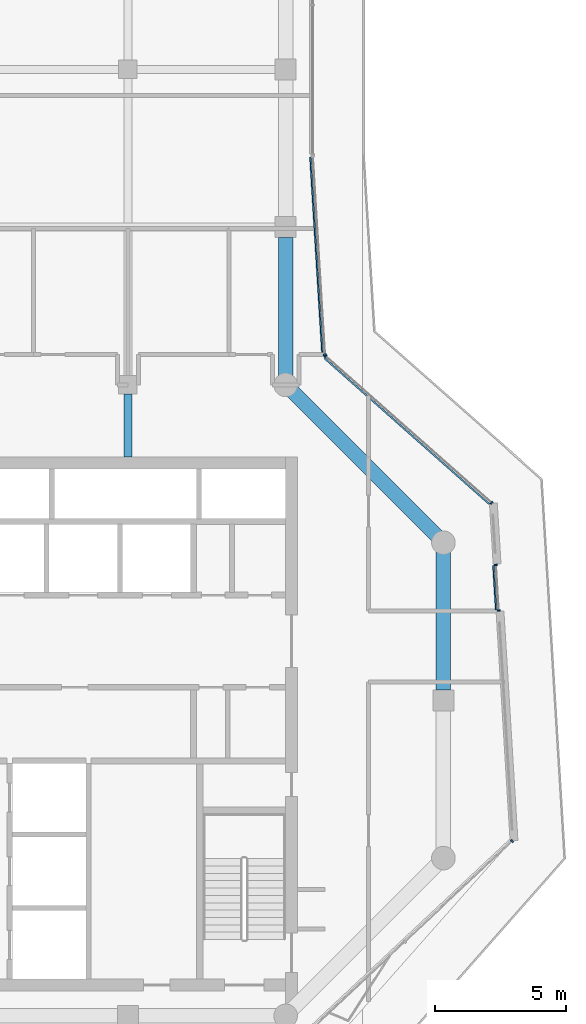
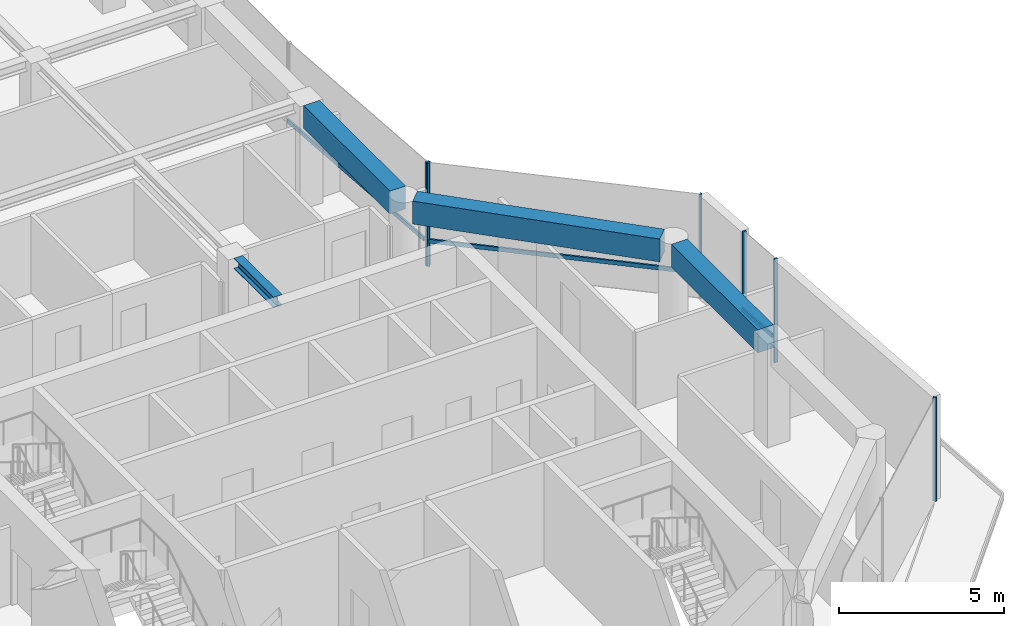
# One storey, part 5 of 21: 9 members, 4 beams, 4 elements without a shape of their own.
"""IFC4 building model written with IfcOpenShell, lengths in metres."""

from ifc_helpers import new_model, si_unit, direction, frame, origin, origin_2d, place, context, subcontext, project, spatial, rectangle, i_section, extrude, material, layer, layer_set, material_profile, profile_set, type_object, element, aggregate, save


model = new_model("IFC4")

# Units and contexts
model_context = context("Model", 3, precision=1e-05, world=origin(), true_north=direction((0.0, 1.0)))
body_context = subcontext(model_context, "Body", "Model", "MODEL_VIEW")
ifc_project = project(units=[si_unit("LENGTHUNIT", "METRE"), si_unit("AREAUNIT", "SQUARE_METRE"), si_unit("VOLUMEUNIT", "CUBIC_METRE"), si_unit("PLANEANGLEUNIT", "RADIAN"), si_unit("MASSUNIT", "GRAM", prefix="KILO")], contexts=[model_context])

# Site, building, storey
site_placement = place(None, origin())
site = spatial("IfcSite", under=ifc_project, at=site_placement, CompositionType="ELEMENT")
building_placement = place(site_placement, origin())
building = spatial("IfcBuilding", under=site, at=building_placement, Name="Welwitschia Terrace Campus", CompositionType="ELEMENT")
storey_placement = place(building_placement, frame((0.0, 0.0, 213.800048828125)))
storey = spatial("IfcBuildingStorey", under=building, at=storey_placement, Name="L47", CompositionType="ELEMENT", Elevation=213.800048828125)

# Beam
ifc_material_1 = material(Name="Steel S355", Category="steel")
ifc_material_profile_1 = material_profile(ifc_material_1, i_section(OverallWidth=0.300048828125, OverallDepth=0.389892578125, WebThickness=0.010986328125, FlangeThickness=0.01904296875, FilletRadius=0.027099609375, at=origin_2d()))
ifc_profile_set_1 = profile_set([ifc_material_profile_1], Name="Steel S355")
beam_type_1 = type_object("IfcBeamType", Name="Interior girder HE 400 A", PredefinedType="BEAM", material=ifc_profile_set_1)
beam_1_placement = place(storey_placement, frame((18.0, 25.2509765625, 3.655029296875), z_axis=(0.0, 1.0, 0.0), x_axis=(-1.0, 0.0, 0.0)))
element("IfcBeam", 1, at=beam_1_placement, inside=storey, type_object=beam_type_1, Name="Girder GB5", PredefinedType="BEAM", context=body_context, shape_type="SweptSolid", body=[
    extrude(i_section(OverallWidth=0.300048828125, OverallDepth=0.389892578125, WebThickness=0.010986328125, FlangeThickness=0.01904296875, FilletRadius=0.027099609375, at=origin_2d()), origin(), (0.0, 0.0, 1.0), 2.3984375),
])

# Curtain wall, member
ifc_material_2 = material(Name="Bronze anodised aluminium", Category="aluminium")
ifc_layer = layer(ifc_material_2, 0.1201171875)
ifc_layer_set = layer_set([ifc_layer], Name="Bronze anodised aluminium")
curtain_wall_type = type_object("IfcCurtainWallType", Name="Curtain wall CW2 tower 6000", PredefinedType="NOTDEFINED", material=ifc_layer_set)
curtain_wall_1_placement = place(storey_placement, origin())
curtain_wall_1 = element("IfcCurtainWall", 2, at=curtain_wall_1_placement, inside=storey, type_object=curtain_wall_type, Name="CW L47.2.0", PredefinedType="NOTDEFINED")
ifc_material_3 = material(Name="Bronze anodised aluminium", Category="aluminium")
ifc_material_profile_2 = material_profile(ifc_material_3, rectangle(XDim=0.1201171875, YDim=0.06005859375, at=origin_2d()))
ifc_profile_set_2 = profile_set([ifc_material_profile_2], Name="Bronze anodised aluminium")
member_type_1 = type_object("IfcMemberType", Name="Mullion 60x120", PredefinedType="MULLION", material=ifc_profile_set_2)
member_1_placement = place(storey_placement, frame((32.61328125, 10.64404296875, 0.0), z_axis=(0.0, 0.0, 1.0), x_axis=(-0.68390177044, 0.729574100684, 0.0)))
member_1 = element("IfcMember", 3, at=member_1_placement, type_object=member_type_1, Name="Mullion L47.2.0.2", PredefinedType="MULLION", context=body_context, shape_type="SweptSolid", body=[
    extrude(rectangle(XDim=0.1201171875, YDim=0.06005859375, at=origin_2d()), origin(), (0.0, 0.0, 1.0), 3.849853515625),
])
aggregate(curtain_wall_1, [member_1])

# Curtain wall, members
curtain_wall_2_placement = place(storey_placement, origin())
curtain_wall_2 = element("IfcCurtainWall", 4, at=curtain_wall_2_placement, inside=storey, type_object=curtain_wall_type, Name="CW L47.3.S0", PredefinedType="NOTDEFINED")
member_2_placement = place(storey_placement, frame((32.099853515625, 19.418212890625, 0.0), z_axis=(0.0, 0.0, 1.0), x_axis=(-0.998134798422, -0.061048539535, 0.0)))
member_2 = element("IfcMember", 5, at=member_2_placement, type_object=member_type_1, Name="Mullion L47.3.S0.0", PredefinedType="MULLION", context=body_context, shape_type="SweptSolid", body=[
    extrude(rectangle(XDim=0.1201171875, YDim=0.06005859375, at=origin_2d()), origin(), (0.0, 0.0, 1.0), 3.849853515625),
])
member_3_placement = place(storey_placement, frame((31.99365234375, 21.155029296875, 0.0), z_axis=(0.0, 0.0, 1.0), x_axis=(-0.998134798422, -0.061048539535, 0.0)))
member_3 = element("IfcMember", 6, at=member_3_placement, type_object=member_type_1, Name="Mullion L47.3.S0.1", PredefinedType="MULLION", context=body_context, shape_type="SweptSolid", body=[
    extrude(rectangle(XDim=0.1201171875, YDim=0.06005859375, at=origin_2d()), origin(), (0.0, 0.0, 1.0), 3.849853515625),
])

curtain_wall_3_placement = place(storey_placement, origin())
curtain_wall_3 = element("IfcCurtainWall", 7, at=curtain_wall_3_placement, inside=storey, type_object=curtain_wall_type, Name="CW L47.4.0", PredefinedType="NOTDEFINED")
member_4_placement = place(storey_placement, frame((31.828125, 23.513916015625, 0.0), z_axis=(0.0, 0.0, 1.0), x_axis=(-0.662620048216, -0.748955720789, 0.0)))
member_4 = element("IfcMember", 8, at=member_4_placement, type_object=member_type_1, Name="Mullion L47.4.0.0", PredefinedType="MULLION", context=body_context, shape_type="SweptSolid", body=[
    extrude(rectangle(XDim=0.1201171875, YDim=0.06005859375, at=origin_2d()), origin(), (0.0, 0.0, 1.0), 3.849853515625),
])
member_5_placement = place(storey_placement, frame((25.517822265625, 29.0966796875, 0.0), z_axis=(0.0, 0.0, 1.0), x_axis=(-0.662620048216, -0.748955720789, 0.0)))
member_5 = element("IfcMember", 9, at=member_5_placement, type_object=member_type_1, Name="Mullion L47.4.0.1", PredefinedType="MULLION", context=body_context, shape_type="SweptSolid", body=[
    extrude(rectangle(XDim=0.1201171875, YDim=0.06005859375, at=origin_2d()), origin(), (0.0, 0.0, 1.0), 3.849853515625),
])

# Curtain wall, member
curtain_wall_4_placement = place(storey_placement, origin())
curtain_wall_4 = element("IfcCurtainWall", 10, at=curtain_wall_4_placement, inside=storey, type_object=curtain_wall_type, Name="CW L47.5.0", PredefinedType="NOTDEFINED")
member_6_placement = place(storey_placement, frame((25.49365234375, 29.146484375, 0.0), z_axis=(0.0, 0.0, 1.0), x_axis=(-0.998134798422, -0.061048539535, 0.0)))
member_6 = element("IfcMember", 11, at=member_6_placement, type_object=member_type_1, Name="Mullion L47.5.0.0", PredefinedType="MULLION", context=body_context, shape_type="SweptSolid", body=[
    extrude(rectangle(XDim=0.1201171875, YDim=0.06005859375, at=origin_2d()), origin(), (0.0, 0.0, 1.0), 3.849853515625),
])

# Beams
ifc_material_4 = material(Name="Concrete C50/60", Category="concrete")
ifc_material_profile_3 = material_profile(ifc_material_4, rectangle(XDim=0.550048828125, YDim=0.85009765625, at=origin_2d()))
ifc_profile_set_3 = profile_set([ifc_material_profile_3], Name="Concrete C50/60")
beam_type_2 = type_object("IfcBeamType", Name="Ring spandrel 550x850", PredefinedType="SPANDREL", material=ifc_profile_set_3)
beam_2_placement = place(storey_placement, frame((30.0, 16.400390625, 3.425048828125), z_axis=(0.0, 1.0, 0.0), x_axis=(-1.0, 0.0, 0.0)))
element("IfcBeam", 12, at=beam_2_placement, inside=storey, type_object=beam_type_2, Name="Spandrel SP3", PredefinedType="SPANDREL", context=body_context, shape_type="SweptSolid", body=[
    extrude(rectangle(XDim=0.550048828125, YDim=0.85009765625, at=origin_2d()), origin(), (0.0, 0.0, 1.0), 5.24267578125),
])
beam_3_placement = place(storey_placement, frame((29.74755859375, 22.25244140625, 3.425048828125), z_axis=(-0.707106781187, 0.707106781187, 0.0), x_axis=(-0.707106781187, -0.707106781187, 0.0)))
element("IfcBeam", 13, at=beam_3_placement, inside=storey, type_object=beam_type_2, Name="Spandrel SP3", PredefinedType="SPANDREL", context=body_context, shape_type="SweptSolid", body=[
    extrude(rectangle(XDim=0.550048828125, YDim=0.85009765625, at=origin_2d()), origin(), (0.0, 0.0, 1.0), 7.771240234375),
])
beam_4_placement = place(storey_placement, frame((24.0, 28.35693359375, 3.425048828125), z_axis=(0.0, 1.0, 0.0), x_axis=(-1.0, 0.0, 0.0)))
element("IfcBeam", 14, at=beam_4_placement, inside=storey, type_object=beam_type_2, Name="Spandrel SP3", PredefinedType="SPANDREL", context=body_context, shape_type="SweptSolid", body=[
    extrude(rectangle(XDim=0.550048828125, YDim=0.85009765625, at=origin_2d()), origin(), (0.0, 0.0, 1.0), 5.24267578125),
])

# Member
ifc_material_5 = material(Name="Bronze anodised aluminium", Category="aluminium")
ifc_material_profile_4 = material_profile(ifc_material_5, rectangle(XDim=0.06005859375, YDim=0.14990234375, at=origin_2d()))
ifc_profile_set_4 = profile_set([ifc_material_profile_4], Name="Bronze anodised aluminium")
member_type_2 = type_object("IfcMemberType", Name="Transom 60x150", PredefinedType="USERDEFINED", material=ifc_profile_set_4)
member_7_placement = place(storey_placement, frame((32.008056640625, 19.442626953125, 1.0), z_axis=(-0.061030293199, 0.998135914248, 0.0), x_axis=(-0.998135914248, -0.061030293199, 0.0)))
member_7 = element("IfcMember", 15, at=member_7_placement, type_object=member_type_2, Name="Transom L47.3.S0", ObjectType="TRANSOM", PredefinedType="USERDEFINED", context=body_context, shape_type="SweptSolid", body=[
    extrude(rectangle(XDim=0.06005859375, YDim=0.14990234375, at=origin_2d()), origin(), (0.0, 0.0, 1.0), 1.68017578125),
])

aggregate(curtain_wall_2, [member_2, member_3, member_7])

member_8_placement = place(storey_placement, frame((31.745849609375, 23.46630859375, 1.0), z_axis=(-0.748953109905, 0.662622999271, 0.0), x_axis=(-0.662622999271, -0.748953109905, 0.0)))
member_8 = element("IfcMember", 16, at=member_8_placement, type_object=member_type_2, Name="Transom L47.4.0", ObjectType="TRANSOM", PredefinedType="USERDEFINED", context=body_context, shape_type="SweptSolid", body=[
    extrude(rectangle(XDim=0.06005859375, YDim=0.14990234375, at=origin_2d()), origin(), (0.0, 0.0, 1.0), 8.365234375),
])

aggregate(curtain_wall_3, [member_4, member_5, member_8])

member_9_placement = place(storey_placement, frame((25.40185546875, 29.1708984375, 1.0), z_axis=(-0.061037296167, 0.998135486032, 0.0), x_axis=(-0.998135486032, -0.061037296167, 0.0)))
member_9 = element("IfcMember", 17, at=member_9_placement, type_object=member_type_2, Name="Transom L47.5.0", ObjectType="TRANSOM", PredefinedType="USERDEFINED", context=body_context, shape_type="SweptSolid", body=[
    extrude(rectangle(XDim=0.06005859375, YDim=0.14990234375, at=origin_2d()), origin(), (0.0, 0.0, 1.0), 7.503662109375),
])

aggregate(curtain_wall_4, [member_6, member_9])

save(model, "model.ifc")
